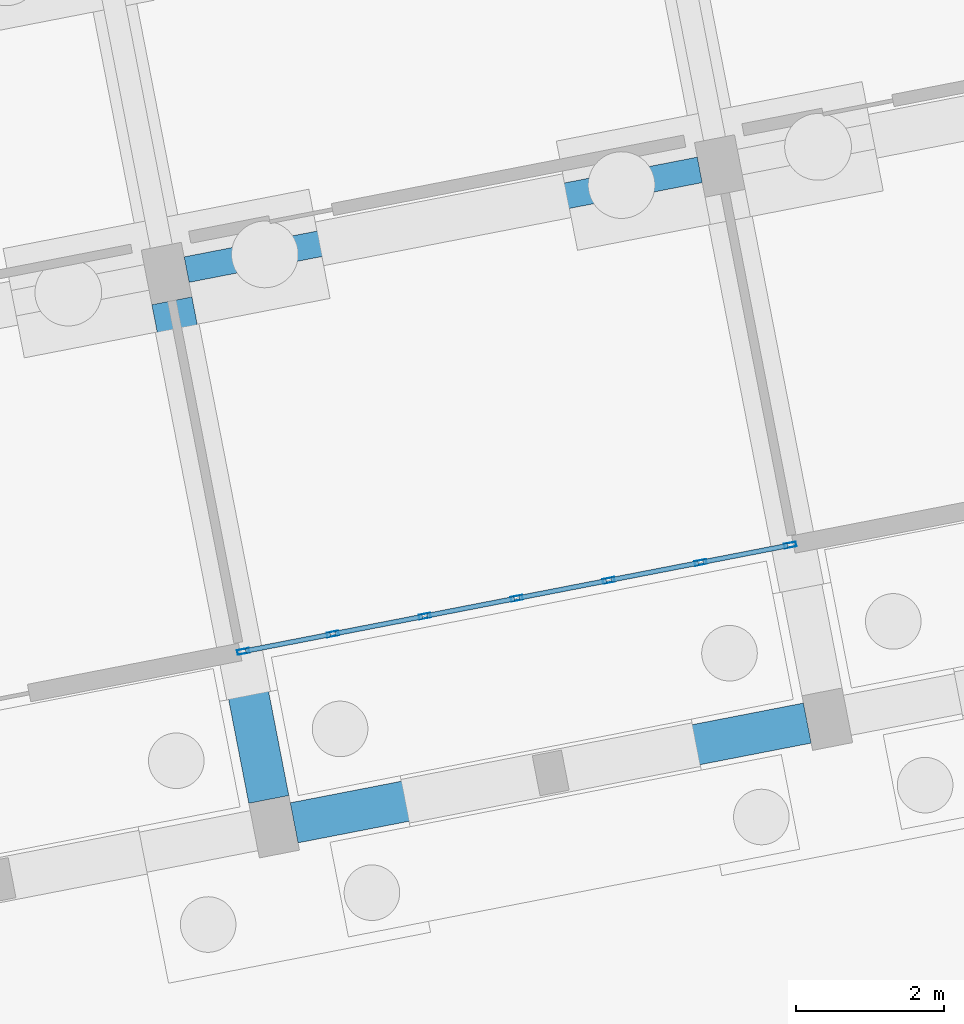
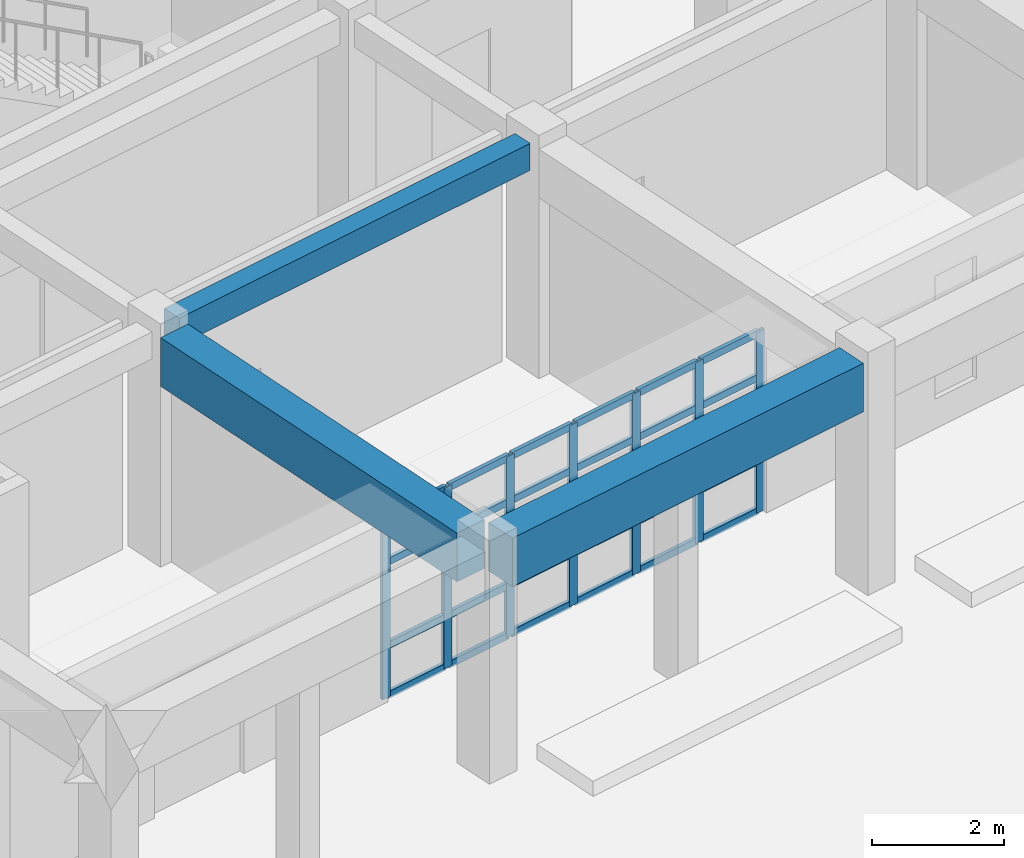
# One storey, part 91 of 154: 31 members, 3 beams, 1 element without a shape of its own.
"""IFC4 building model written with IfcOpenShell, lengths in metres."""

import ifcopenshell
import ifcopenshell.guid

model = None  # the IFC model being written
_history = None  # IfcOwnerHistory: only IFC2X3 demands one
_inside = {}  # id of a spatial element -> (the spatial element, [elements in it])
_under = {}  # id of a project, library or spatial element -> (it, [spatial elements below it])
_declared = {}  # id of a project -> (the project, [libraries it declares])
_typed = {}  # id of a type object -> (the type object, [elements of that type])
_made_of = {}  # id of a material, layer set ... -> (it, [elements and type objects made of it])


def new_model(schema):
    """Start an empty IFC model of exactly this schema.

    Asked for "IFC4X3", IfcOpenShell would pick the latest addendum, in which some entities
    have other attributes; the version numbers below select the first issue.
    IFC2X3 requires an IfcOwnerHistory on every rooted entity: one is made here for all.
    """
    global model, _history
    if schema == "IFC4X3":
        model = ifcopenshell.file(schema_version=(4, 3, 0, 0))
    else:
        model = ifcopenshell.file(schema=schema)
    _inside.clear()
    _under.clear()
    _declared.clear()
    _typed.clear()
    _made_of.clear()
    _history = None
    if model.schema == "IFC2X3":
        org = make("IfcOrganization", Name="unknown")
        user = make(
            "IfcPersonAndOrganization",
            ThePerson=make("IfcPerson", FamilyName="unknown"),
            TheOrganization=org,
        )
        app = make(
            "IfcApplication",
            ApplicationDeveloper=org,
            Version="unknown",
            ApplicationFullName="unknown",
            ApplicationIdentifier="unknown",
        )
        _history = make(
            "IfcOwnerHistory",
            OwningUser=user,
            OwningApplication=app,
            ChangeAction="ADDED",
            CreationDate=0,
        )
    return model


def make(cls, **values):
    """One entity of the class cls with the attributes given. An attribute that is None is left unset."""
    return model.create_entity(
        cls, **{name: value for name, value in values.items() if value is not None}
    )


def rooted(cls, **values):
    """An entity with a GlobalId (a new one), such as an element, a storey or a relation."""
    return make(cls, GlobalId=ifcopenshell.guid.new(), OwnerHistory=_history, **values)


def si_unit(unit_type, name, prefix=None):
    """IfcSIUnit, for example si_unit("LENGTHUNIT", "METRE", prefix="MILLI")."""
    return make("IfcSIUnit", UnitType=unit_type, Prefix=prefix, Name=name)


def assignment(units):
    """IfcUnitAssignment: the units of a project."""
    return None if units is None else make("IfcUnitAssignment", Units=units)


def point(xyz):
    """IfcCartesianPoint."""
    return None if xyz is None else make("IfcCartesianPoint", Coordinates=xyz)


def direction(xyz):
    """IfcDirection."""
    return None if xyz is None else make("IfcDirection", DirectionRatios=xyz)


def frame(location, z_axis=None, x_axis=None):
    """IfcAxis2Placement3D, a coordinate frame: its origin and axes. An axis left out is left unset."""
    return make(
        "IfcAxis2Placement3D",
        Location=point(location),
        Axis=direction(z_axis),
        RefDirection=direction(x_axis),
    )


def frame_2d(location, x_axis=None):
    """IfcAxis2Placement2D, a coordinate frame in the plane: its origin and x axis."""
    return make(
        "IfcAxis2Placement2D", Location=point(location), RefDirection=direction(x_axis)
    )


def origin():
    """The frame at (0, 0, 0) with its axes left unset."""
    return frame((0.0, 0.0, 0.0))


def origin_2d():
    """The frame at (0, 0) in the plane with its x axis left unset."""
    return frame_2d((0.0, 0.0))


def place(relative_to, where):
    """IfcLocalPlacement: puts the frame where relative to a parent placement (None: the world)."""
    return make(
        "IfcLocalPlacement", PlacementRelTo=relative_to, RelativePlacement=where
    )


def context(
    kind, dimensions, precision=None, world=None, true_north=None, identifier=None
):
    """IfcGeometricRepresentationContext, for example the 3D "Model" context."""
    return make(
        "IfcGeometricRepresentationContext",
        ContextIdentifier=identifier,
        ContextType=kind,
        CoordinateSpaceDimension=dimensions,
        Precision=precision,
        WorldCoordinateSystem=world,
        TrueNorth=true_north,
    )


def subcontext(parent, identifier, kind, view, scale=None):
    """IfcGeometricRepresentationSubContext, for example "Body" below "Model"."""
    return make(
        "IfcGeometricRepresentationSubContext",
        ContextIdentifier=identifier,
        ContextType=kind,
        ParentContext=parent,
        TargetScale=scale,
        TargetView=view,
    )


def project(units=None, contexts=None):
    """IfcProject with its units and contexts."""
    return rooted(
        "IfcProject",
        Name="project",
        RepresentationContexts=contexts,
        UnitsInContext=assignment(units),
    )


def spatial(cls, under=None, at=None, **own):
    """A site, building, storey or space (cls), placed at a placement, below another one or the project."""
    s = rooted(cls, ObjectPlacement=at, **own)
    if under is not None:
        _under.setdefault(under.id(), (under, []))[1].append(s)
    return s


def profile(cls, at=None, kind="AREA", **sizes):
    """A parametric profile (cls). Its sizes go by their IFC names, for example OverallWidth=200.0."""
    return make(cls, ProfileType=kind, Position=at, **sizes)


def rectangle(**sizes):
    """IfcRectangleProfileDef."""
    return profile("IfcRectangleProfileDef", **sizes)


def hollow_rectangle(**sizes):
    """IfcRectangleHollowProfileDef."""
    return profile("IfcRectangleHollowProfileDef", **sizes)


def extrude(swept, where, along, depth):
    """IfcExtrudedAreaSolid: the profile swept, set in the frame where, extruded along a direction by depth."""
    return make(
        "IfcExtrudedAreaSolid",
        SweptArea=swept,
        Position=where,
        ExtrudedDirection=direction(along),
        Depth=depth,
    )


def shape(context_of_items, identifier, shape_type, items):
    """IfcShapeRepresentation: the items that make up one representation, for example the "Body"."""
    return make(
        "IfcShapeRepresentation",
        ContextOfItems=context_of_items,
        RepresentationIdentifier=identifier,
        RepresentationType=shape_type,
        Items=items,
    )


def material(Name=None, Category=None):
    """IfcMaterial."""
    return make("IfcMaterial", Name=Name, Category=Category)


def material_profile(
    of_material, cross_section, Name=None, Category=None, Priority=None
):
    """IfcMaterialProfile: a cross section and its material."""
    return make(
        "IfcMaterialProfile",
        Name=Name,
        Material=of_material,
        Profile=cross_section,
        Priority=Priority,
        Category=Category,
    )


def profile_set(profiles, Name=None, composite=None):
    """IfcMaterialProfileSet."""
    return make(
        "IfcMaterialProfileSet",
        Name=Name,
        MaterialProfiles=profiles,
        CompositeProfile=composite,
    )


def made_of(thing, what):
    """Note that an element or type object is made of a material, layer set ...; save() writes the relation."""
    if what is not None:
        _made_of.setdefault(what.id(), (what, []))[1].append(thing)
    return thing


def type_object(cls, material=None, **own):
    """A type object (cls), such as IfcWallType, which elements share."""
    return made_of(rooted(cls, **own), material)


def element(
    cls,
    number,
    at=None,
    inside=None,
    cuts=None,
    type_object=None,
    material=None,
    context=None,
    identifier="Body",
    shape_type=None,
    held_by="IfcProductDefinitionShape",
    body=None,
    shapes=None,
    **own,
):
    """One element of the class cls, such as IfcWall. Its Tag is "e" and its number.

    at: its placement. inside: the storey or other place that contains it. cuts: it is an
    opening in that element (IfcRelVoidsElement). A single representation is given by context,
    identifier, shape_type and body (its items); several are given by shapes. held_by: the class
    of the entity that holds the representations. save() writes the other relations.
    """
    e = rooted(cls, Tag="e%d" % number, ObjectPlacement=at, **own)
    if body is not None:
        shapes = [shape(context, identifier, shape_type, body)]
    if shapes is not None:
        e.Representation = make(held_by, Representations=shapes)
    if inside is not None:
        _inside.setdefault(inside.id(), (inside, []))[1].append(e)
    if cuts is not None:
        rooted(
            "IfcRelVoidsElement", RelatingBuildingElement=cuts, RelatedOpeningElement=e
        )
    if type_object is not None:
        _typed.setdefault(type_object.id(), (type_object, []))[1].append(e)
    return made_of(e, material)


def aggregate(whole, parts):
    """IfcRelAggregates: a whole, such as a stair, and the parts it consists of."""
    return rooted("IfcRelAggregates", RelatingObject=whole, RelatedObjects=parts)


def save(model, path):
    """Write the relations noted so far, then the file.

    IfcRelAggregates (storeys below a building ...), IfcRelContainedInSpatialStructure (elements
    in a storey), IfcRelDefinesByType, IfcRelAssociatesMaterial and IfcRelDeclares: one each for
    every whole, place, type object, material and project.
    """
    for whole, parts in _under.values():
        aggregate(whole, parts)
    for where, things in _inside.values():
        rooted(
            "IfcRelContainedInSpatialStructure",
            RelatedElements=things,
            RelatingStructure=where,
        )
    for kind, things in _typed.values():
        rooted("IfcRelDefinesByType", RelatedObjects=things, RelatingType=kind)
    for what, things in _made_of.values():
        rooted("IfcRelAssociatesMaterial", RelatedObjects=things, RelatingMaterial=what)
    for by, libraries in _declared.values():
        rooted("IfcRelDeclares", RelatingContext=by, RelatedDefinitions=libraries)
    model.write(path)


model = new_model("IFC4")

# Units and contexts
model_context = context("Model", 3, precision=1e-05, world=origin(), true_north=direction((0.0, 1.0)))
body_context = subcontext(model_context, "Body", "Model", "MODEL_VIEW")
ifc_project = project(units=[si_unit("LENGTHUNIT", "METRE"), si_unit("AREAUNIT", "SQUARE_METRE"), si_unit("VOLUMEUNIT", "CUBIC_METRE"), si_unit("PLANEANGLEUNIT", "RADIAN"), si_unit("MASSUNIT", "GRAM", prefix="KILO")], contexts=[model_context])

# Site, building, storey
site_placement = place(None, origin())
site = spatial("IfcSite", under=ifc_project, at=site_placement, CompositionType="ELEMENT")
building_placement = place(site_placement, origin())
building = spatial("IfcBuilding", under=site, at=building_placement, Name="Kestramere Prow Commons", CompositionType="ELEMENT")
storey_placement = place(building_placement, origin())
storey = spatial("IfcBuildingStorey", under=building, at=storey_placement, Name="L00", CompositionType="ELEMENT", Elevation=0.0)

# Beam
ifc_material_1 = material(Name="Precast concrete C40/50", Category="concrete")
ifc_material_profile_1 = material_profile(ifc_material_1, rectangle(XDim=0.35009765625, YDim=0.5, at=origin_2d()), Name="PC-BM 350x500")
ifc_profile_set_1 = profile_set([ifc_material_profile_1], Name="Precast concrete C40/50")
beam_type_1 = type_object("IfcBeamType", Name="BM-D1 PC-BM 350x500", PredefinedType="BEAM", material=ifc_profile_set_1)
beam_1_placement = place(storey_placement, frame((147.061279296875, 47.3134765625, 4.0), z_axis=(0.981626562328, 0.19081219073, 0.0), x_axis=(-0.19081219073, 0.981626562328, 0.0)))
element("IfcBeam", 1, at=beam_1_placement, inside=storey, type_object=beam_type_1, Name="Block D L00 Longitudinal Beam 2-5", PredefinedType="BEAM", context=body_context, shape_type="SweptSolid", body=[
    extrude(rectangle(XDim=0.35009765625, YDim=0.5, at=origin_2d()), origin(), (0.0, 0.0, 1.0), 7.050048828125),
])

# Curtain wall, members
ifc_material_2 = material(Name="Anodised Aluminium and Low-E Glass", Category="aluminium")
curtain_wall_type = type_object("IfcCurtainWallType", Name="CW-07 Glazed Curtain Wall 7580x3350", PredefinedType="USERDEFINED", material=ifc_material_2)
curtain_wall_placement = place(storey_placement, origin())
curtain_wall = element("IfcCurtainWall", 2, at=curtain_wall_placement, inside=storey, type_object=curtain_wall_type, Name="Block D L00 South Colonnade Storefront 5", ObjectType="GLAZED CURTAIN WALL", PredefinedType="USERDEFINED")
ifc_material_3 = material(Name="Anodised Aluminium 6063-T6", Category="aluminium")
ifc_material_profile_2 = material_profile(ifc_material_3, hollow_rectangle(XDim=0.06494140625, YDim=0.159912109375, WallThickness=0.00390625, at=origin_2d()), Name="ALU-MUL 65x160")
ifc_profile_set_2 = profile_set([ifc_material_profile_2], Name="Anodised Aluminium 6063-T6")
member_type_1 = type_object("IfcMemberType", Name="CW-MUL-65x160", PredefinedType="MULLION", material=ifc_profile_set_2)
member_1_placement = place(storey_placement, frame((155.2021484375, 43.5986328125, 0.0), z_axis=(0.0, 0.0, 1.0), x_axis=(0.190808973121, -0.981627187774, 0.0)))
member_1 = element("IfcMember", 3, at=member_1_placement, type_object=member_type_1, Name="CW-07 mullion 1", PredefinedType="MULLION", context=body_context, shape_type="SweptSolid", body=[
    extrude(hollow_rectangle(XDim=0.06494140625, YDim=0.159912109375, WallThickness=0.00390625, at=origin_2d()), origin(), (0.0, 0.0, 1.0), 3.35009765625),
])
member_2_placement = place(storey_placement, frame((153.993896484375, 43.36376953125, 0.0), z_axis=(0.0, 0.0, 1.0), x_axis=(0.190808973121, -0.981627187774, 0.0)))
member_2 = element("IfcMember", 4, at=member_2_placement, type_object=member_type_1, Name="CW-07 mullion 2", PredefinedType="MULLION", context=body_context, shape_type="SweptSolid", body=[
    extrude(hollow_rectangle(XDim=0.06494140625, YDim=0.159912109375, WallThickness=0.00390625, at=origin_2d()), origin(), (0.0, 0.0, 1.0), 3.35009765625),
])
member_3_placement = place(storey_placement, frame((152.75390625, 43.12255859375, 0.0), z_axis=(0.0, 0.0, 1.0), x_axis=(0.190808973121, -0.981627187774, 0.0)))
member_3 = element("IfcMember", 5, at=member_3_placement, type_object=member_type_1, Name="CW-07 mullion 3", PredefinedType="MULLION", context=body_context, shape_type="SweptSolid", body=[
    extrude(hollow_rectangle(XDim=0.06494140625, YDim=0.159912109375, WallThickness=0.00390625, at=origin_2d()), origin(), (0.0, 0.0, 1.0), 3.35009765625),
])
member_4_placement = place(storey_placement, frame((151.513671875, 42.881591796875, 0.0), z_axis=(0.0, 0.0, 1.0), x_axis=(0.190808973121, -0.981627187774, 0.0)))
member_4 = element("IfcMember", 6, at=member_4_placement, type_object=member_type_1, Name="CW-07 mullion 4", PredefinedType="MULLION", context=body_context, shape_type="SweptSolid", body=[
    extrude(hollow_rectangle(XDim=0.06494140625, YDim=0.159912109375, WallThickness=0.00390625, at=origin_2d()), origin(), (0.0, 0.0, 1.0), 3.35009765625),
])
member_5_placement = place(storey_placement, frame((150.273681640625, 42.640625, 0.0), z_axis=(0.0, 0.0, 1.0), x_axis=(0.190808973121, -0.981627187774, 0.0)))
member_5 = element("IfcMember", 7, at=member_5_placement, type_object=member_type_1, Name="CW-07 mullion 5", PredefinedType="MULLION", context=body_context, shape_type="SweptSolid", body=[
    extrude(hollow_rectangle(XDim=0.06494140625, YDim=0.159912109375, WallThickness=0.00390625, at=origin_2d()), origin(), (0.0, 0.0, 1.0), 3.35009765625),
])
member_6_placement = place(storey_placement, frame((149.033447265625, 42.3994140625, 0.0), z_axis=(0.0, 0.0, 1.0), x_axis=(0.190808973121, -0.981627187774, 0.0)))
member_6 = element("IfcMember", 8, at=member_6_placement, type_object=member_type_1, Name="CW-07 mullion 6", PredefinedType="MULLION", context=body_context, shape_type="SweptSolid", body=[
    extrude(hollow_rectangle(XDim=0.06494140625, YDim=0.159912109375, WallThickness=0.00390625, at=origin_2d()), origin(), (0.0, 0.0, 1.0), 3.35009765625),
])
member_7_placement = place(storey_placement, frame((147.8251953125, 42.16455078125, 0.0), z_axis=(0.0, 0.0, 1.0), x_axis=(0.190808973121, -0.981627187774, 0.0)))
member_7 = element("IfcMember", 9, at=member_7_placement, type_object=member_type_1, Name="CW-07 mullion 7", PredefinedType="MULLION", context=body_context, shape_type="SweptSolid", body=[
    extrude(hollow_rectangle(XDim=0.06494140625, YDim=0.159912109375, WallThickness=0.00390625, at=origin_2d()), origin(), (0.0, 0.0, 1.0), 3.35009765625),
])
ifc_material_profile_3 = material_profile(ifc_material_3, hollow_rectangle(XDim=0.06494140625, YDim=0.1298828125, WallThickness=0.00390625, at=origin_2d()), Name="ALU-TRN 65x130")
ifc_profile_set_3 = profile_set([ifc_material_profile_3], Name="Anodised Aluminium 6063-T6")
member_type_2 = type_object("IfcMemberType", Name="CW-TRN-65x130", PredefinedType="USERDEFINED", material=ifc_profile_set_3)
member_8_placement = place(storey_placement, frame((155.170166015625, 43.59228515625, 0.032470703125), z_axis=(-0.981629557026, -0.190796783967, 0.0), x_axis=(0.190796783967, -0.981629557026, 0.0)))
member_8 = element("IfcMember", 10, at=member_8_placement, type_object=member_type_2, Name="CW-07 transom 1.1", ObjectType="TRANSOM", PredefinedType="USERDEFINED", context=body_context, shape_type="SweptSolid", body=[
    extrude(hollow_rectangle(XDim=0.06494140625, YDim=0.1298828125, WallThickness=0.00390625, at=origin_2d()), origin(), (0.0, 0.0, 1.0), 1.165771484375),
])
member_9_placement = place(storey_placement, frame((155.170166015625, 43.59228515625, 0.949951171875), z_axis=(-0.981629557026, -0.190796783967, 0.0), x_axis=(0.190796783967, -0.981629557026, 0.0)))
member_9 = element("IfcMember", 11, at=member_9_placement, type_object=member_type_2, Name="CW-07 transom 1.2", ObjectType="TRANSOM", PredefinedType="USERDEFINED", context=body_context, shape_type="SweptSolid", body=[
    extrude(hollow_rectangle(XDim=0.06494140625, YDim=0.1298828125, WallThickness=0.00390625, at=origin_2d()), origin(), (0.0, 0.0, 1.0), 1.165771484375),
])
member_10_placement = place(storey_placement, frame((155.170166015625, 43.59228515625, 2.5), z_axis=(-0.981629557026, -0.190796783967, 0.0), x_axis=(0.190796783967, -0.981629557026, 0.0)))
member_10 = element("IfcMember", 12, at=member_10_placement, type_object=member_type_2, Name="CW-07 transom 1.3", ObjectType="TRANSOM", PredefinedType="USERDEFINED", context=body_context, shape_type="SweptSolid", body=[
    extrude(hollow_rectangle(XDim=0.06494140625, YDim=0.1298828125, WallThickness=0.00390625, at=origin_2d()), origin(), (0.0, 0.0, 1.0), 1.165771484375),
])
member_11_placement = place(storey_placement, frame((155.170166015625, 43.59228515625, 3.3173828125), z_axis=(-0.981629557026, -0.190796783967, 0.0), x_axis=(0.190796783967, -0.981629557026, 0.0)))
member_11 = element("IfcMember", 13, at=member_11_placement, type_object=member_type_2, Name="CW-07 transom 1.4", ObjectType="TRANSOM", PredefinedType="USERDEFINED", context=body_context, shape_type="SweptSolid", body=[
    extrude(hollow_rectangle(XDim=0.06494140625, YDim=0.1298828125, WallThickness=0.00390625, at=origin_2d()), origin(), (0.0, 0.0, 1.0), 1.165771484375),
])
member_12_placement = place(storey_placement, frame((153.962158203125, 43.357421875, 0.032470703125), z_axis=(-0.981654595411, -0.190667918926, 0.0), x_axis=(0.190667918926, -0.981654595411, 0.0)))
member_12 = element("IfcMember", 14, at=member_12_placement, type_object=member_type_2, Name="CW-07 transom 2.1", ObjectType="TRANSOM", PredefinedType="USERDEFINED", context=body_context, shape_type="SweptSolid", body=[
    extrude(hollow_rectangle(XDim=0.06494140625, YDim=0.1298828125, WallThickness=0.00390625, at=origin_2d()), origin(), (0.0, 0.0, 1.0), 1.198486328125),
])
member_13_placement = place(storey_placement, frame((153.962158203125, 43.357421875, 0.949951171875), z_axis=(-0.981654595411, -0.190667918926, 0.0), x_axis=(0.190667918926, -0.981654595411, 0.0)))
member_13 = element("IfcMember", 15, at=member_13_placement, type_object=member_type_2, Name="CW-07 transom 2.2", ObjectType="TRANSOM", PredefinedType="USERDEFINED", context=body_context, shape_type="SweptSolid", body=[
    extrude(hollow_rectangle(XDim=0.06494140625, YDim=0.1298828125, WallThickness=0.00390625, at=origin_2d()), origin(), (0.0, 0.0, 1.0), 1.198486328125),
])
member_14_placement = place(storey_placement, frame((153.962158203125, 43.357421875, 2.5), z_axis=(-0.981654595411, -0.190667918926, 0.0), x_axis=(0.190667918926, -0.981654595411, 0.0)))
member_14 = element("IfcMember", 16, at=member_14_placement, type_object=member_type_2, Name="CW-07 transom 2.3", ObjectType="TRANSOM", PredefinedType="USERDEFINED", context=body_context, shape_type="SweptSolid", body=[
    extrude(hollow_rectangle(XDim=0.06494140625, YDim=0.1298828125, WallThickness=0.00390625, at=origin_2d()), origin(), (0.0, 0.0, 1.0), 1.198486328125),
])
member_15_placement = place(storey_placement, frame((153.962158203125, 43.357421875, 3.3173828125), z_axis=(-0.981654595411, -0.190667918926, 0.0), x_axis=(0.190667918926, -0.981654595411, 0.0)))
member_15 = element("IfcMember", 17, at=member_15_placement, type_object=member_type_2, Name="CW-07 transom 2.4", ObjectType="TRANSOM", PredefinedType="USERDEFINED", context=body_context, shape_type="SweptSolid", body=[
    extrude(hollow_rectangle(XDim=0.06494140625, YDim=0.1298828125, WallThickness=0.00390625, at=origin_2d()), origin(), (0.0, 0.0, 1.0), 1.198486328125),
])
member_16_placement = place(storey_placement, frame((152.721923828125, 43.116455078125, 0.032470703125), z_axis=(-0.981609027049, -0.190902378237, 0.0), x_axis=(0.190902378237, -0.981609027049, 0.0)))
member_16 = element("IfcMember", 18, at=member_16_placement, type_object=member_type_2, Name="CW-07 transom 3.1", ObjectType="TRANSOM", PredefinedType="USERDEFINED", context=body_context, shape_type="SweptSolid", body=[
    extrude(hollow_rectangle(XDim=0.06494140625, YDim=0.1298828125, WallThickness=0.00390625, at=origin_2d()), origin(), (0.0, 0.0, 1.0), 1.1982421875),
])
member_17_placement = place(storey_placement, frame((152.721923828125, 43.116455078125, 0.949951171875), z_axis=(-0.981609027049, -0.190902378237, 0.0), x_axis=(0.190902378237, -0.981609027049, 0.0)))
member_17 = element("IfcMember", 19, at=member_17_placement, type_object=member_type_2, Name="CW-07 transom 3.2", ObjectType="TRANSOM", PredefinedType="USERDEFINED", context=body_context, shape_type="SweptSolid", body=[
    extrude(hollow_rectangle(XDim=0.06494140625, YDim=0.1298828125, WallThickness=0.00390625, at=origin_2d()), origin(), (0.0, 0.0, 1.0), 1.1982421875),
])
member_18_placement = place(storey_placement, frame((152.721923828125, 43.116455078125, 2.5), z_axis=(-0.981609027049, -0.190902378237, 0.0), x_axis=(0.190902378237, -0.981609027049, 0.0)))
member_18 = element("IfcMember", 20, at=member_18_placement, type_object=member_type_2, Name="CW-07 transom 3.3", ObjectType="TRANSOM", PredefinedType="USERDEFINED", context=body_context, shape_type="SweptSolid", body=[
    extrude(hollow_rectangle(XDim=0.06494140625, YDim=0.1298828125, WallThickness=0.00390625, at=origin_2d()), origin(), (0.0, 0.0, 1.0), 1.1982421875),
])
member_19_placement = place(storey_placement, frame((152.721923828125, 43.116455078125, 3.3173828125), z_axis=(-0.981609027049, -0.190902378237, 0.0), x_axis=(0.190902378237, -0.981609027049, 0.0)))
member_19 = element("IfcMember", 21, at=member_19_placement, type_object=member_type_2, Name="CW-07 transom 3.4", ObjectType="TRANSOM", PredefinedType="USERDEFINED", context=body_context, shape_type="SweptSolid", body=[
    extrude(hollow_rectangle(XDim=0.06494140625, YDim=0.1298828125, WallThickness=0.00390625, at=origin_2d()), origin(), (0.0, 0.0, 1.0), 1.1982421875),
])
member_20_placement = place(storey_placement, frame((151.481689453125, 42.87548828125, 0.032470703125), z_axis=(-0.981609027049, -0.190902378237, 0.0), x_axis=(0.190902378237, -0.981609027049, 0.0)))
member_20 = element("IfcMember", 22, at=member_20_placement, type_object=member_type_2, Name="CW-07 transom 4.1", ObjectType="TRANSOM", PredefinedType="USERDEFINED", context=body_context, shape_type="SweptSolid", body=[
    extrude(hollow_rectangle(XDim=0.06494140625, YDim=0.1298828125, WallThickness=0.00390625, at=origin_2d()), origin(), (0.0, 0.0, 1.0), 1.1982421875),
])
member_21_placement = place(storey_placement, frame((151.481689453125, 42.87548828125, 0.949951171875), z_axis=(-0.981609027049, -0.190902378237, 0.0), x_axis=(0.190902378237, -0.981609027049, 0.0)))
member_21 = element("IfcMember", 23, at=member_21_placement, type_object=member_type_2, Name="CW-07 transom 4.2", ObjectType="TRANSOM", PredefinedType="USERDEFINED", context=body_context, shape_type="SweptSolid", body=[
    extrude(hollow_rectangle(XDim=0.06494140625, YDim=0.1298828125, WallThickness=0.00390625, at=origin_2d()), origin(), (0.0, 0.0, 1.0), 1.1982421875),
])
member_22_placement = place(storey_placement, frame((151.481689453125, 42.87548828125, 2.5), z_axis=(-0.981609027049, -0.190902378237, 0.0), x_axis=(0.190902378237, -0.981609027049, 0.0)))
member_22 = element("IfcMember", 24, at=member_22_placement, type_object=member_type_2, Name="CW-07 transom 4.3", ObjectType="TRANSOM", PredefinedType="USERDEFINED", context=body_context, shape_type="SweptSolid", body=[
    extrude(hollow_rectangle(XDim=0.06494140625, YDim=0.1298828125, WallThickness=0.00390625, at=origin_2d()), origin(), (0.0, 0.0, 1.0), 1.1982421875),
])
member_23_placement = place(storey_placement, frame((151.481689453125, 42.87548828125, 3.3173828125), z_axis=(-0.981609027049, -0.190902378237, 0.0), x_axis=(0.190902378237, -0.981609027049, 0.0)))
member_23 = element("IfcMember", 25, at=member_23_placement, type_object=member_type_2, Name="CW-07 transom 4.4", ObjectType="TRANSOM", PredefinedType="USERDEFINED", context=body_context, shape_type="SweptSolid", body=[
    extrude(hollow_rectangle(XDim=0.06494140625, YDim=0.1298828125, WallThickness=0.00390625, at=origin_2d()), origin(), (0.0, 0.0, 1.0), 1.1982421875),
])
member_24_placement = place(storey_placement, frame((150.24169921875, 42.63427734375, 0.032470703125), z_axis=(-0.981647187644, -0.190706053889, 0.0), x_axis=(0.190706053889, -0.981647187644, 0.0)))
member_24 = element("IfcMember", 26, at=member_24_placement, type_object=member_type_2, Name="CW-07 transom 5.1", ObjectType="TRANSOM", PredefinedType="USERDEFINED", context=body_context, shape_type="SweptSolid", body=[
    extrude(hollow_rectangle(XDim=0.06494140625, YDim=0.1298828125, WallThickness=0.00390625, at=origin_2d()), origin(), (0.0, 0.0, 1.0), 1.1982421875),
])
member_25_placement = place(storey_placement, frame((150.24169921875, 42.63427734375, 0.949951171875), z_axis=(-0.981647187644, -0.190706053889, 0.0), x_axis=(0.190706053889, -0.981647187644, 0.0)))
member_25 = element("IfcMember", 27, at=member_25_placement, type_object=member_type_2, Name="CW-07 transom 5.2", ObjectType="TRANSOM", PredefinedType="USERDEFINED", context=body_context, shape_type="SweptSolid", body=[
    extrude(hollow_rectangle(XDim=0.06494140625, YDim=0.1298828125, WallThickness=0.00390625, at=origin_2d()), origin(), (0.0, 0.0, 1.0), 1.1982421875),
])
member_26_placement = place(storey_placement, frame((150.24169921875, 42.63427734375, 2.5), z_axis=(-0.981647187644, -0.190706053889, 0.0), x_axis=(0.190706053889, -0.981647187644, 0.0)))
member_26 = element("IfcMember", 28, at=member_26_placement, type_object=member_type_2, Name="CW-07 transom 5.3", ObjectType="TRANSOM", PredefinedType="USERDEFINED", context=body_context, shape_type="SweptSolid", body=[
    extrude(hollow_rectangle(XDim=0.06494140625, YDim=0.1298828125, WallThickness=0.00390625, at=origin_2d()), origin(), (0.0, 0.0, 1.0), 1.1982421875),
])
member_27_placement = place(storey_placement, frame((150.24169921875, 42.63427734375, 3.3173828125), z_axis=(-0.981647187644, -0.190706053889, 0.0), x_axis=(0.190706053889, -0.981647187644, 0.0)))
member_27 = element("IfcMember", 29, at=member_27_placement, type_object=member_type_2, Name="CW-07 transom 5.4", ObjectType="TRANSOM", PredefinedType="USERDEFINED", context=body_context, shape_type="SweptSolid", body=[
    extrude(hollow_rectangle(XDim=0.06494140625, YDim=0.1298828125, WallThickness=0.00390625, at=origin_2d()), origin(), (0.0, 0.0, 1.0), 1.1982421875),
])
member_28_placement = place(storey_placement, frame((149.00146484375, 42.393310546875, 0.032470703125), z_axis=(-0.981629557026, -0.190796783967, 0.0), x_axis=(0.190796783967, -0.981629557026, 0.0)))
member_28 = element("IfcMember", 30, at=member_28_placement, type_object=member_type_2, Name="CW-07 transom 6.1", ObjectType="TRANSOM", PredefinedType="USERDEFINED", context=body_context, shape_type="SweptSolid", body=[
    extrude(hollow_rectangle(XDim=0.06494140625, YDim=0.1298828125, WallThickness=0.00390625, at=origin_2d()), origin(), (0.0, 0.0, 1.0), 1.165771484375),
])
member_29_placement = place(storey_placement, frame((149.00146484375, 42.393310546875, 0.949951171875), z_axis=(-0.981629557026, -0.190796783967, 0.0), x_axis=(0.190796783967, -0.981629557026, 0.0)))
member_29 = element("IfcMember", 31, at=member_29_placement, type_object=member_type_2, Name="CW-07 transom 6.2", ObjectType="TRANSOM", PredefinedType="USERDEFINED", context=body_context, shape_type="SweptSolid", body=[
    extrude(hollow_rectangle(XDim=0.06494140625, YDim=0.1298828125, WallThickness=0.00390625, at=origin_2d()), origin(), (0.0, 0.0, 1.0), 1.165771484375),
])
member_30_placement = place(storey_placement, frame((149.00146484375, 42.393310546875, 2.5), z_axis=(-0.981629557026, -0.190796783967, 0.0), x_axis=(0.190796783967, -0.981629557026, 0.0)))
member_30 = element("IfcMember", 32, at=member_30_placement, type_object=member_type_2, Name="CW-07 transom 6.3", ObjectType="TRANSOM", PredefinedType="USERDEFINED", context=body_context, shape_type="SweptSolid", body=[
    extrude(hollow_rectangle(XDim=0.06494140625, YDim=0.1298828125, WallThickness=0.00390625, at=origin_2d()), origin(), (0.0, 0.0, 1.0), 1.165771484375),
])
member_31_placement = place(storey_placement, frame((149.00146484375, 42.393310546875, 3.3173828125), z_axis=(-0.981629557026, -0.190796783967, 0.0), x_axis=(0.190796783967, -0.981629557026, 0.0)))
member_31 = element("IfcMember", 33, at=member_31_placement, type_object=member_type_2, Name="CW-07 transom 6.4", ObjectType="TRANSOM", PredefinedType="USERDEFINED", context=body_context, shape_type="SweptSolid", body=[
    extrude(hollow_rectangle(XDim=0.06494140625, YDim=0.1298828125, WallThickness=0.00390625, at=origin_2d()), origin(), (0.0, 0.0, 1.0), 1.165771484375),
])
aggregate(curtain_wall, [member_1, member_2, member_3, member_4, member_5, member_6, member_7, member_8, member_9, member_10, member_11, member_12, member_13, member_14, member_15, member_16, member_17, member_18, member_19, member_20, member_21, member_22, member_23, member_24, member_25, member_26, member_27, member_28, member_29, member_30, member_31])

# Beams
ifc_material_profile_4 = material_profile(ifc_material_1, rectangle(XDim=0.550048828125, YDim=0.89990234375, at=origin_2d()), Name="PC-TG 550x900")
ifc_profile_set_4 = profile_set([ifc_material_profile_4], Name="Precast concrete C40/50")
beam_type_2 = type_object("IfcBeamType", Name="TG-01 PC-TG 550x900 (EX)", PredefinedType="BEAM", material=ifc_profile_set_4)
beam_2_placement = place(storey_placement, frame((148.511474609375, 39.85302734375, 3.800048828125), z_axis=(0.981626562328, 0.19081219073, 0.0), x_axis=(-0.19081219073, 0.981626562328, 0.0)))
element("IfcBeam", 34, at=beam_2_placement, inside=storey, type_object=beam_type_2, Name="Block D L00 Longitudinal Beam 1-5", PredefinedType="BEAM", context=body_context, shape_type="SweptSolid", body=[
    extrude(rectangle(XDim=0.550048828125, YDim=0.89990234375, at=origin_2d()), origin(), (0.0, 0.0, 1.0), 7.050048828125),
])
beam_3_placement = place(storey_placement, frame((148.169921875, 40.168701171875, 3.800048828125), z_axis=(-0.190821960873, 0.981624663122, 0.0), x_axis=(-0.981624663122, -0.190821960873, 0.0)))
element("IfcBeam", 35, at=beam_3_placement, inside=storey, type_object=beam_type_2, Name="Block D L00 S Colonnade Transfer Girder 5", PredefinedType="BEAM", context=body_context, shape_type="SweptSolid", body=[
    extrude(rectangle(XDim=0.550048828125, YDim=0.89990234375, at=origin_2d()), origin(), (0.0, 0.0, 1.0), 6.85009765625),
])

save(model, "model.ifc")
